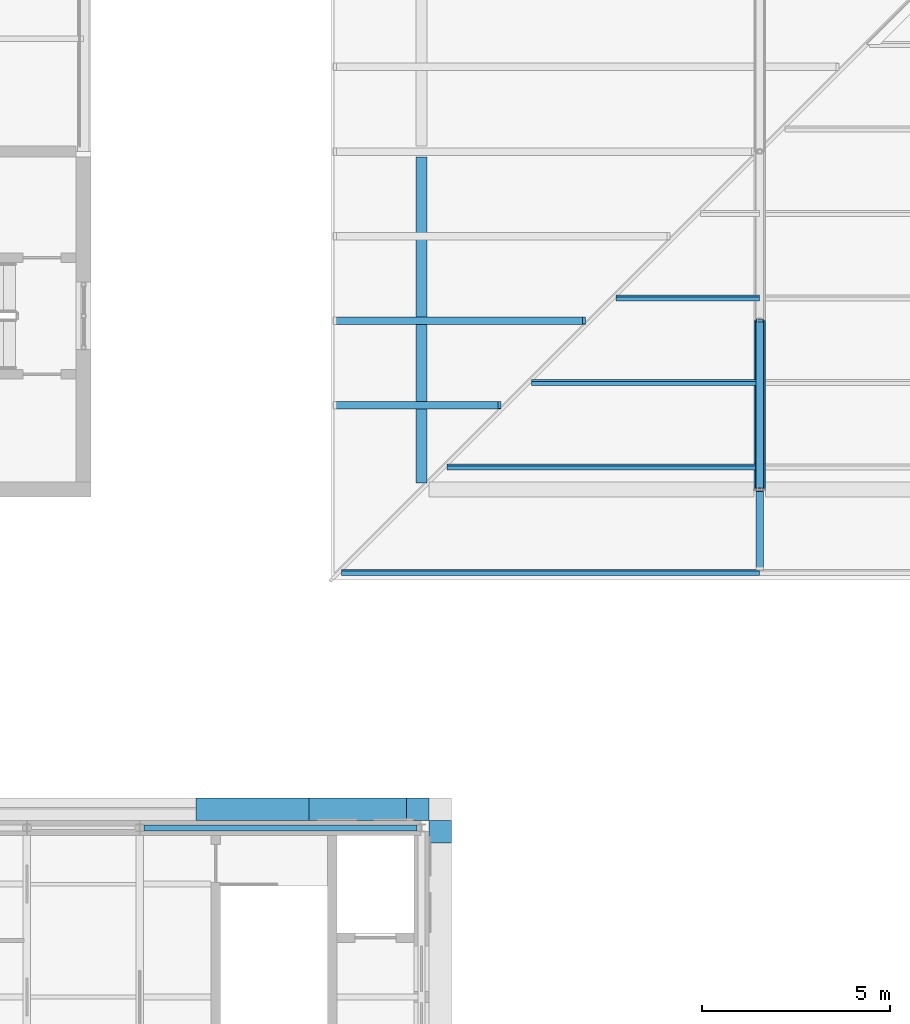
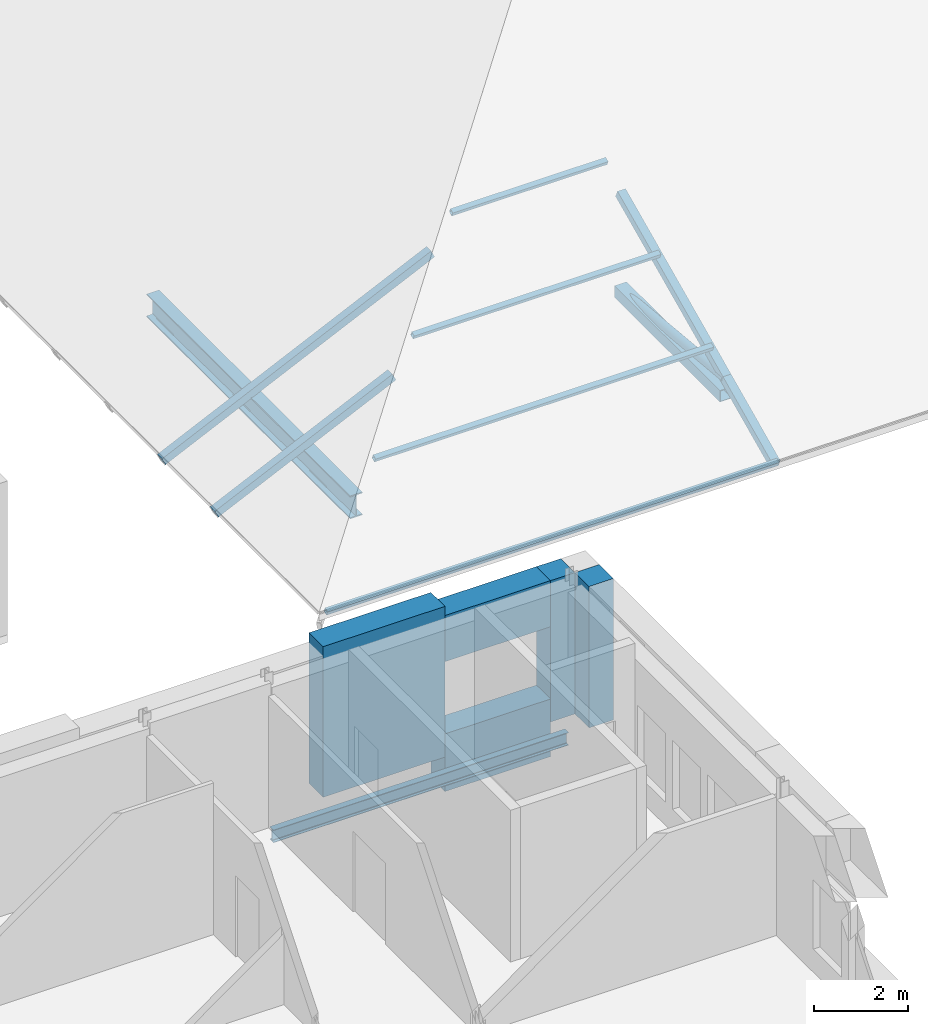
# One storey, part 47 of 154: 13 members, 4 beams.
"""IFC4 building model written with IfcOpenShell, lengths in metres."""

from ifc_helpers import new_model, si_unit, direction, frame, origin, origin_2d, place, context, subcontext, project, spatial, rectangle, hollow_rectangle, hollow_circle, i_section, extrude, material, material_profile, profile_set, type_object, element, save


model = new_model("IFC4")

# Units and contexts
model_context = context("Model", 3, precision=1e-05, world=origin(), true_north=direction((0.0, 1.0)))
body_context = subcontext(model_context, "Body", "Model", "MODEL_VIEW")
ifc_project = project(units=[si_unit("LENGTHUNIT", "METRE"), si_unit("AREAUNIT", "SQUARE_METRE"), si_unit("VOLUMEUNIT", "CUBIC_METRE"), si_unit("PLANEANGLEUNIT", "RADIAN"), si_unit("MASSUNIT", "GRAM", prefix="KILO")], contexts=[model_context])

# Site, building, storey
site_placement = place(None, origin())
site = spatial("IfcSite", under=ifc_project, at=site_placement, CompositionType="ELEMENT")
building_placement = place(site_placement, origin())
building = spatial("IfcBuilding", under=site, at=building_placement, Name="Golden Quay Civic Hall", CompositionType="ELEMENT")
storey_placement = place(building_placement, frame((0.0, 0.0, 14.39990234375)))
storey = spatial("IfcBuildingStorey", under=building, at=storey_placement, Name="L03", CompositionType="ELEMENT", Elevation=14.39990234375)

# Members
ifc_material_1 = material(Name="Concrete C40/50", Category="concrete")
ifc_material_profile_1 = material_profile(ifc_material_1, rectangle(XDim=3.0, YDim=0.60009765625, at=origin_2d()), Name="RC 3000x600")
ifc_profile_set_1 = profile_set([ifc_material_profile_1], Name="Concrete C40/50")
member_type_1 = type_object("IfcMemberType", Name="Precast concrete facade pier 3000 x 600", PredefinedType="POST", material=ifc_profile_set_1)
member_1_placement = place(storey_placement, frame((112.5, 54.5, 0.0), z_axis=(0.0, 0.0, 1.0), x_axis=(1.0, 0.0, 0.0)))
element("IfcMember", 1, at=member_1_placement, inside=storey, type_object=member_type_1, Name="Precast concrete facade pier 3000 x 600 L03 32", PredefinedType="POST", context=body_context, shape_type="SweptSolid", body=[
    extrude(rectangle(XDim=3.0, YDim=0.60009765625, at=origin_2d()), origin(), (0.0, 0.0, 1.0), 3.920166015625),
])
ifc_material_2 = material(Name="Concrete C40/50", Category="concrete")
ifc_material_profile_2 = material_profile(ifc_material_2, rectangle(XDim=0.60009765625, YDim=0.60009765625, at=origin_2d()), Name="RC 600x600")
ifc_profile_set_2 = profile_set([ifc_material_profile_2], Name="Concrete C40/50")
member_type_2 = type_object("IfcMemberType", Name="Precast concrete facade post 600 x 600", PredefinedType="POST", material=ifc_profile_set_2)
for number, where, z_axis, x_axis, name in (
    (2, (116.89990234375, 54.5, 0.0), (0.0, 0.0, 1.0), (1.0, 0.0, 0.0), "Precast concrete facade post 600 x 600 L03 11"),
    (3, (117.5, 53.89990234375, 0.0), (0.0, 0.0, 1.0), (1.0, 0.0, 0.0), "Precast concrete facade post 600 x 600 L03 12"),
):
    element("IfcMember", number, at=place(storey_placement, frame(where, z_axis=z_axis, x_axis=x_axis)), inside=storey, type_object=member_type_2, Name=name, PredefinedType="POST", context=body_context, shape_type="SweptSolid", body=[
        extrude(rectangle(XDim=0.60009765625, YDim=0.60009765625, at=origin_2d()), origin(), (0.0, 0.0, 1.0), 3.68017578125),
    ])

# Beams
ifc_material_3 = material(Name="Concrete C40/50", Category="concrete")
ifc_material_profile_3 = material_profile(ifc_material_3, rectangle(XDim=0.60009765625, YDim=1.199951171875, at=origin_2d()), Name="RC 600x1200")
ifc_profile_set_3 = profile_set([ifc_material_profile_3], Name="Concrete C40/50")
beam_type_1 = type_object("IfcBeamType", Name="Precast concrete spandrel beam 600 x 1200", PredefinedType="SPANDREL", material=ifc_profile_set_3)
beam_1_placement = place(storey_placement, frame((114.0, 54.5, 3.080078125), z_axis=(1.0, 0.0, 0.0), x_axis=(0.0, 1.0, 0.0)))
element("IfcBeam", 4, at=beam_1_placement, inside=storey, type_object=beam_type_1, Name="Precast concrete spandrel beam 600 x 1200 L03 12", PredefinedType="SPANDREL", context=body_context, shape_type="SweptSolid", body=[
    extrude(rectangle(XDim=0.60009765625, YDim=1.199951171875, at=origin_2d()), origin(), (0.0, 0.0, 1.0), 2.60009765625),
])
ifc_material_4 = material(Name="Concrete C40/50", Category="concrete")
ifc_material_profile_4 = material_profile(ifc_material_4, rectangle(XDim=0.60009765625, YDim=1.5, at=origin_2d()), Name="RC 600x1500")
ifc_profile_set_4 = profile_set([ifc_material_profile_4], Name="Concrete C40/50")
beam_type_2 = type_object("IfcBeamType", Name="Precast concrete spandrel beam 600 x 1500", PredefinedType="SPANDREL", material=ifc_profile_set_4)
beam_2_placement = place(storey_placement, frame((114.0, 54.5, -0.14990234375), z_axis=(1.0, 0.0, 0.0), x_axis=(0.0, 1.0, 0.0)))
element("IfcBeam", 5, at=beam_2_placement, inside=storey, type_object=beam_type_2, Name="Precast concrete spandrel beam 600 x 1500 L03 31", PredefinedType="SPANDREL", context=body_context, shape_type="SweptSolid", body=[
    extrude(rectangle(XDim=0.60009765625, YDim=1.5, at=origin_2d()), origin(), (0.0, 0.0, 1.0), 2.60009765625),
])
ifc_material_5 = material(Name="Steel S355", Category="steel")
ifc_material_profile_5 = material_profile(ifc_material_5, i_section(OverallWidth=0.159912109375, OverallDepth=0.330078125, WebThickness=0.007568359375, FlangeThickness=0.011474609375, FilletRadius=0.01806640625, at=origin_2d()), Name="IPE 330")
ifc_profile_set_5 = profile_set([ifc_material_profile_5], Name="Steel S355")
beam_type_3 = type_object("IfcBeamType", Name="Steel beam IPE 330", PredefinedType="BEAM", material=ifc_profile_set_5)
beam_3_placement = place(storey_placement, frame((109.6201171875, 54.0, -0.364990234375), z_axis=(1.0, 0.0, 0.0), x_axis=(0.0, 1.0, 0.0)))
element("IfcBeam", 6, at=beam_3_placement, inside=storey, type_object=beam_type_3, Name="Beam S54-109.5", PredefinedType="BEAM", context=body_context, shape_type="SweptSolid", body=[
    extrude(i_section(OverallWidth=0.159912109375, OverallDepth=0.330078125, WebThickness=0.007568359375, FlangeThickness=0.011474609375, FilletRadius=0.01806640625, at=origin_2d()), origin(), (0.0, 0.0, 1.0), 7.259765625),
])
ifc_material_6 = material(Name="Steel S355", Category="steel")
ifc_material_profile_6 = material_profile(ifc_material_6, i_section(OverallWidth=0.300048828125, OverallDepth=0.60009765625, WebThickness=0.015380859375, FlangeThickness=0.030029296875, FilletRadius=0.027099609375, at=origin_2d()), Name="HEB 600")
ifc_profile_set_6 = profile_set([ifc_material_profile_6], Name="Steel S355")
beam_type_4 = type_object("IfcBeamType", Name="Steel eaves girder HEB 600", PredefinedType="BEAM", material=ifc_profile_set_6)
beam_4_placement = place(storey_placement, frame((117.0, 63.179931640625, 0.050048828125), z_axis=(0.0, 1.0, 0.0), x_axis=(-1.0, 0.0, 0.0)))
element("IfcBeam", 7, at=beam_4_placement, inside=storey, type_object=beam_type_4, Name="Eaves girder 117-1 L03", PredefinedType="BEAM", context=body_context, shape_type="SweptSolid", body=[
    extrude(i_section(OverallWidth=0.300048828125, OverallDepth=0.60009765625, WebThickness=0.015380859375, FlangeThickness=0.030029296875, FilletRadius=0.027099609375, at=origin_2d()), origin(), (0.0, 0.0, 1.0), 8.670166015625),
])

# Members
ifc_material_7 = material(Name="Steel S355", Category="steel")
ifc_material_profile_7 = material_profile(ifc_material_7, hollow_rectangle(XDim=0.199951171875, YDim=0.199951171875, WallThickness=0.010009765625, at=origin_2d()), Name="SHS 200x200x10")
ifc_profile_set_7 = profile_set([ifc_material_profile_7], Name="Steel S355")
member_type_3 = type_object("IfcMemberType", Name="Steel jack rafter SHS 200x200x10", PredefinedType="RAFTER", material=ifc_profile_set_7)
member_2_placement = place(storey_placement, frame((114.699951171875, 65.25, -0.56787109375), z_axis=(0.906312305086, 0.0, 0.422608572617), x_axis=(0.0, 1.0, 0.0)))
element("IfcMember", 8, at=member_2_placement, inside=storey, type_object=member_type_3, Name="Jack rafter west 1 L03", PredefinedType="RAFTER", context=body_context, shape_type="SweptSolid", body=[
    extrude(hollow_rectangle(XDim=0.199951171875, YDim=0.199951171875, WallThickness=0.010009765625, at=origin_2d()), origin(), (0.0, 0.0, 1.0), 4.8271484375),
])
member_3_placement = place(storey_placement, frame((114.699951171875, 67.5, -0.56787109375), z_axis=(0.906304264127, 0.0, 0.422625816563), x_axis=(0.0, 1.0, 0.0)))
element("IfcMember", 9, at=member_3_placement, inside=storey, type_object=member_type_3, Name="Jack rafter west 2 L03", PredefinedType="RAFTER", context=body_context, shape_type="SweptSolid", body=[
    extrude(hollow_rectangle(XDim=0.199951171875, YDim=0.199951171875, WallThickness=0.010009765625, at=origin_2d()), origin(), (0.0, 0.0, 1.0), 7.309814453125),
])
ifc_material_8 = material(Name="Steel S355", Category="steel")
ifc_material_profile_8 = material_profile(ifc_material_8, hollow_rectangle(XDim=0.1201171875, YDim=0.1201171875, WallThickness=0.008056640625, at=origin_2d()), Name="SHS 120x120x8")
ifc_profile_set_8 = profile_set([ifc_material_profile_8], Name="Steel S355")
member_type_4 = type_object("IfcMemberType", Name="Steel roof purlin SHS 120x120x8", PredefinedType="PURLIN", material=ifc_profile_set_8)
member_4_placement = place(storey_placement, frame((114.875, 60.800048828125, -0.521240234375), z_axis=(1.0, 0.0, 0.0), x_axis=(0.0, 0.906307787037, 0.422618261741)))
element("IfcMember", 10, at=member_4_placement, inside=storey, type_object=member_type_4, Name="Purlin south 1-1 L03", PredefinedType="PURLIN", context=body_context, shape_type="SweptSolid", body=[
    extrude(hollow_rectangle(XDim=0.1201171875, YDim=0.1201171875, WallThickness=0.008056640625, at=origin_2d()), origin(), (0.0, 0.0, 1.0), 11.125),
])
member_5_placement = place(storey_placement, frame((117.675048828125, 63.60009765625, 0.784423828125), z_axis=(1.0, 0.0, 0.0), x_axis=(0.0, 0.906307787037, 0.422618261741)))
element("IfcMember", 11, at=member_5_placement, inside=storey, type_object=member_type_4, Name="Purlin south 2-1 L03", PredefinedType="PURLIN", context=body_context, shape_type="SweptSolid", body=[
    extrude(hollow_rectangle(XDim=0.1201171875, YDim=0.1201171875, WallThickness=0.008056640625, at=origin_2d()), origin(), (0.0, 0.0, 1.0), 8.324951171875),
])
member_6_placement = place(storey_placement, frame((119.925048828125, 65.85009765625, 1.83349609375), z_axis=(1.0, 0.0, 0.0), x_axis=(0.0, 0.906307787037, 0.422618261741)))
element("IfcMember", 12, at=member_6_placement, inside=storey, type_object=member_type_4, Name="Purlin south 3-1 L03", PredefinedType="PURLIN", context=body_context, shape_type="SweptSolid", body=[
    extrude(hollow_rectangle(XDim=0.1201171875, YDim=0.1201171875, WallThickness=0.008056640625, at=origin_2d()), origin(), (0.0, 0.0, 1.0), 6.074951171875),
])
member_7_placement = place(storey_placement, frame((122.175048828125, 68.10009765625, 2.8828125), z_axis=(1.0, 0.0, 0.0), x_axis=(0.0, 0.906307787037, 0.422618261741)))
element("IfcMember", 13, at=member_7_placement, inside=storey, type_object=member_type_4, Name="Purlin south 4-1 L03", PredefinedType="PURLIN", context=body_context, shape_type="SweptSolid", body=[
    extrude(hollow_rectangle(XDim=0.1201171875, YDim=0.1201171875, WallThickness=0.008056640625, at=origin_2d()), origin(), (0.0, 0.0, 1.0), 3.824951171875),
])
ifc_material_9 = material(Name="Steel S355", Category="steel")
ifc_material_profile_9 = material_profile(ifc_material_9, hollow_rectangle(XDim=0.300048828125, YDim=0.300048828125, WallThickness=0.01611328125, at=origin_2d()), Name="SHS 300x300x16")
ifc_profile_set_9 = profile_set([ifc_material_profile_9], Name="Steel S355")
member_type_5 = type_object("IfcMemberType", Name="Steel truss bottom chord SHS 300x300x16", PredefinedType="USERDEFINED", material=ifc_profile_set_9)
member_8_placement = place(storey_placement, frame((126.0, 63.0, -0.099853515625), z_axis=(0.0, 1.0, 0.0), x_axis=(-1.0, 0.0, 0.0)))
element("IfcMember", 14, at=member_8_placement, inside=storey, type_object=member_type_5, Name="Truss 126 bottom chord 1 L03", ObjectType="TRUSS BOTTOM CHORD", PredefinedType="USERDEFINED", context=body_context, shape_type="SweptSolid", body=[
    extrude(hollow_rectangle(XDim=0.300048828125, YDim=0.300048828125, WallThickness=0.01611328125, at=origin_2d()), origin(), (0.0, 0.0, 1.0), 4.5),
])
ifc_material_10 = material(Name="Steel S355", Category="steel")
ifc_material_profile_10 = material_profile(ifc_material_10, hollow_circle(Radius=0.109619140625, WallThickness=0.010009765625, at=origin_2d()), Name="CHS 219.1x10")
ifc_profile_set_10 = profile_set([ifc_material_profile_10], Name="Steel S355")
member_type_6 = type_object("IfcMemberType", Name="Steel truss diagonal CHS 219.1x10", PredefinedType="BRACE", material=ifc_profile_set_10)
member_9_placement = place(storey_placement, frame((126.0, 63.0, 0.327880859375), z_axis=(0.0, 0.995512933083, -0.094625578275), x_axis=(-1.0, 0.0, 0.0)))
element("IfcMember", 15, at=member_9_placement, inside=storey, type_object=member_type_6, Name="Truss 126 diagonal 1 L03", PredefinedType="BRACE", context=body_context, shape_type="SweptSolid", body=[
    extrude(hollow_circle(Radius=0.109619140625, WallThickness=0.010009765625, at=origin_2d()), origin(), (0.0, 0.0, 1.0), 4.520263671875),
])
ifc_material_11 = material(Name="Steel S355", Category="steel")
ifc_material_profile_11 = material_profile(ifc_material_11, hollow_rectangle(XDim=0.199951171875, YDim=0.199951171875, WallThickness=0.010009765625, at=origin_2d()), Name="SHS 200x200x10")
ifc_profile_set_11 = profile_set([ifc_material_profile_11], Name="Steel S355")
member_type_7 = type_object("IfcMemberType", Name="Steel truss top chord SHS 200x200x10", PredefinedType="USERDEFINED", material=ifc_profile_set_11)
member_10_placement = place(storey_placement, frame((126.0, 60.89990234375, -0.651123046875), z_axis=(0.0, 0.906355341487, 0.42251626591), x_axis=(-1.0, 0.0, 0.0)))
element("IfcMember", 16, at=member_10_placement, inside=storey, type_object=member_type_7, Name="Truss 126 top chord 1 L03", ObjectType="TRUSS TOP CHORD", PredefinedType="USERDEFINED", context=body_context, shape_type="SweptSolid", body=[
    extrude(hollow_rectangle(XDim=0.199951171875, YDim=0.199951171875, WallThickness=0.010009765625, at=origin_2d()), origin(), (0.0, 0.0, 1.0), 2.317138671875),
])
member_11_placement = place(storey_placement, frame((126.0, 63.0, 0.327880859375), z_axis=(0.0, 0.906288628397, 0.422659345144), x_axis=(-1.0, 0.0, 0.0)))
element("IfcMember", 17, at=member_11_placement, inside=storey, type_object=member_type_7, Name="Truss 126 top chord 2 L03", ObjectType="TRUSS TOP CHORD", PredefinedType="USERDEFINED", context=body_context, shape_type="SweptSolid", body=[
    extrude(hollow_rectangle(XDim=0.199951171875, YDim=0.199951171875, WallThickness=0.010009765625, at=origin_2d()), origin(), (0.0, 0.0, 1.0), 4.96533203125),
])

save(model, "model.ifc")
